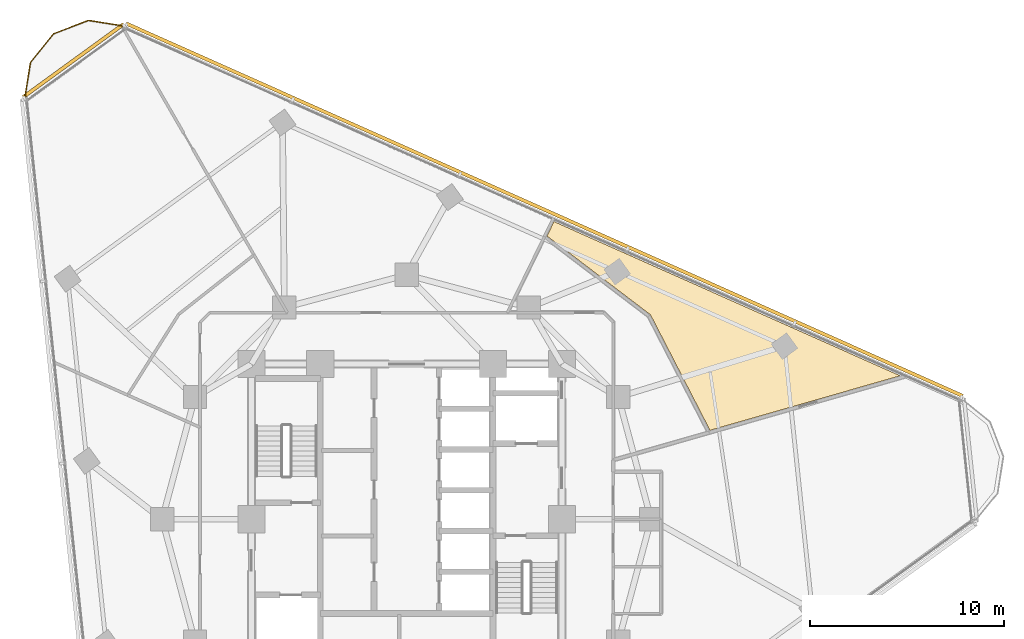
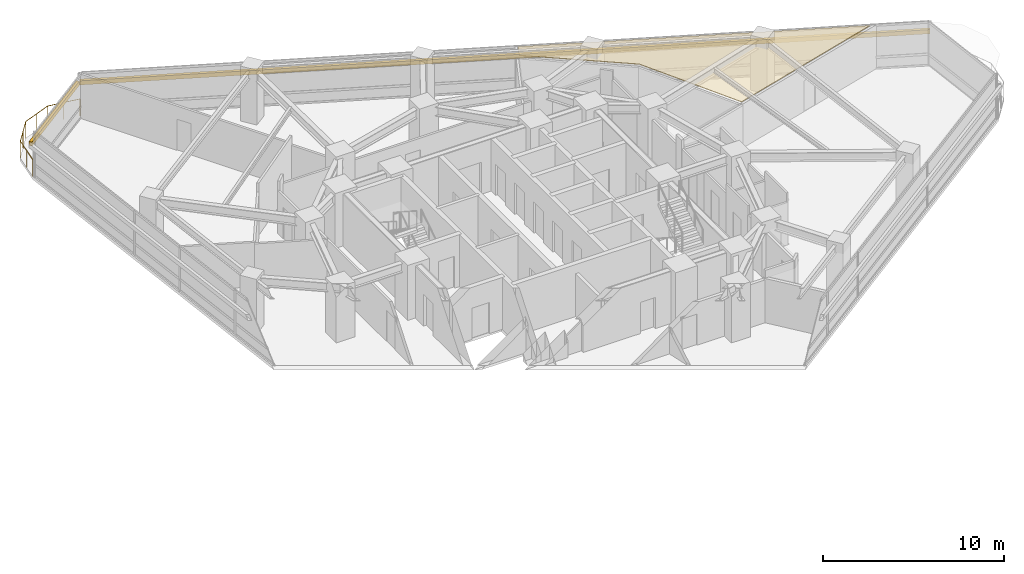
# One storey, part 14 of 14: 2 shading devices, 1 covering, 1 railing.
"""IFC4 building model written with IfcOpenShell, lengths in metres."""

import ifcopenshell
import ifcopenshell.guid

model = None  # the IFC model being written
_history = None  # IfcOwnerHistory: only IFC2X3 demands one
_inside = {}  # id of a spatial element -> (the spatial element, [elements in it])
_under = {}  # id of a project, library or spatial element -> (it, [spatial elements below it])
_declared = {}  # id of a project -> (the project, [libraries it declares])
_typed = {}  # id of a type object -> (the type object, [elements of that type])
_made_of = {}  # id of a material, layer set ... -> (it, [elements and type objects made of it])


def new_model(schema):
    """Start an empty IFC model of exactly this schema.

    Asked for "IFC4X3", IfcOpenShell would pick the latest addendum, in which some entities
    have other attributes; the version numbers below select the first issue.
    IFC2X3 requires an IfcOwnerHistory on every rooted entity: one is made here for all.
    """
    global model, _history
    if schema == "IFC4X3":
        model = ifcopenshell.file(schema_version=(4, 3, 0, 0))
    else:
        model = ifcopenshell.file(schema=schema)
    _inside.clear()
    _under.clear()
    _declared.clear()
    _typed.clear()
    _made_of.clear()
    _history = None
    if model.schema == "IFC2X3":
        org = make("IfcOrganization", Name="unknown")
        user = make(
            "IfcPersonAndOrganization",
            ThePerson=make("IfcPerson", FamilyName="unknown"),
            TheOrganization=org,
        )
        app = make(
            "IfcApplication",
            ApplicationDeveloper=org,
            Version="unknown",
            ApplicationFullName="unknown",
            ApplicationIdentifier="unknown",
        )
        _history = make(
            "IfcOwnerHistory",
            OwningUser=user,
            OwningApplication=app,
            ChangeAction="ADDED",
            CreationDate=0,
        )
    return model


def make(cls, **values):
    """One entity of the class cls with the attributes given. An attribute that is None is left unset."""
    return model.create_entity(
        cls, **{name: value for name, value in values.items() if value is not None}
    )


def rooted(cls, **values):
    """An entity with a GlobalId (a new one), such as an element, a storey or a relation."""
    return make(cls, GlobalId=ifcopenshell.guid.new(), OwnerHistory=_history, **values)


def si_unit(unit_type, name, prefix=None):
    """IfcSIUnit, for example si_unit("LENGTHUNIT", "METRE", prefix="MILLI")."""
    return make("IfcSIUnit", UnitType=unit_type, Prefix=prefix, Name=name)


def assignment(units):
    """IfcUnitAssignment: the units of a project."""
    return None if units is None else make("IfcUnitAssignment", Units=units)


def point(xyz):
    """IfcCartesianPoint."""
    return None if xyz is None else make("IfcCartesianPoint", Coordinates=xyz)


def direction(xyz):
    """IfcDirection."""
    return None if xyz is None else make("IfcDirection", DirectionRatios=xyz)


def frame(location, z_axis=None, x_axis=None):
    """IfcAxis2Placement3D, a coordinate frame: its origin and axes. An axis left out is left unset."""
    return make(
        "IfcAxis2Placement3D",
        Location=point(location),
        Axis=direction(z_axis),
        RefDirection=direction(x_axis),
    )


def frame_2d(location, x_axis=None):
    """IfcAxis2Placement2D, a coordinate frame in the plane: its origin and x axis."""
    return make(
        "IfcAxis2Placement2D", Location=point(location), RefDirection=direction(x_axis)
    )


def origin():
    """The frame at (0, 0, 0) with its axes left unset."""
    return frame((0.0, 0.0, 0.0))


def origin_2d():
    """The frame at (0, 0) in the plane with its x axis left unset."""
    return frame_2d((0.0, 0.0))


def place(relative_to, where):
    """IfcLocalPlacement: puts the frame where relative to a parent placement (None: the world)."""
    return make(
        "IfcLocalPlacement", PlacementRelTo=relative_to, RelativePlacement=where
    )


def context(
    kind, dimensions, precision=None, world=None, true_north=None, identifier=None
):
    """IfcGeometricRepresentationContext, for example the 3D "Model" context."""
    return make(
        "IfcGeometricRepresentationContext",
        ContextIdentifier=identifier,
        ContextType=kind,
        CoordinateSpaceDimension=dimensions,
        Precision=precision,
        WorldCoordinateSystem=world,
        TrueNorth=true_north,
    )


def subcontext(parent, identifier, kind, view, scale=None):
    """IfcGeometricRepresentationSubContext, for example "Body" below "Model"."""
    return make(
        "IfcGeometricRepresentationSubContext",
        ContextIdentifier=identifier,
        ContextType=kind,
        ParentContext=parent,
        TargetScale=scale,
        TargetView=view,
    )


def project(units=None, contexts=None):
    """IfcProject with its units and contexts."""
    return rooted(
        "IfcProject",
        Name="project",
        RepresentationContexts=contexts,
        UnitsInContext=assignment(units),
    )


def spatial(cls, under=None, at=None, **own):
    """A site, building, storey or space (cls), placed at a placement, below another one or the project."""
    s = rooted(cls, ObjectPlacement=at, **own)
    if under is not None:
        _under.setdefault(under.id(), (under, []))[1].append(s)
    return s


def polyline(points):
    """IfcPolyline through the points."""
    return make("IfcPolyline", Points=[point(p) for p in points])


def profile(cls, at=None, kind="AREA", **sizes):
    """A parametric profile (cls). Its sizes go by their IFC names, for example OverallWidth=200.0."""
    return make(cls, ProfileType=kind, Position=at, **sizes)


def rectangle(**sizes):
    """IfcRectangleProfileDef."""
    return profile("IfcRectangleProfileDef", **sizes)


def circle(**sizes):
    """IfcCircleProfileDef."""
    return profile("IfcCircleProfileDef", **sizes)


def outline(outer, holes=None, kind="AREA"):
    """IfcArbitraryClosedProfileDef: a profile drawn as a closed curve; with holes, ...WithVoids."""
    if holes is None:
        return make("IfcArbitraryClosedProfileDef", ProfileType=kind, OuterCurve=outer)
    return make(
        "IfcArbitraryProfileDefWithVoids",
        ProfileType=kind,
        OuterCurve=outer,
        InnerCurves=holes,
    )


def extrude(swept, where, along, depth):
    """IfcExtrudedAreaSolid: the profile swept, set in the frame where, extruded along a direction by depth."""
    return make(
        "IfcExtrudedAreaSolid",
        SweptArea=swept,
        Position=where,
        ExtrudedDirection=direction(along),
        Depth=depth,
    )


def shape(context_of_items, identifier, shape_type, items):
    """IfcShapeRepresentation: the items that make up one representation, for example the "Body"."""
    return make(
        "IfcShapeRepresentation",
        ContextOfItems=context_of_items,
        RepresentationIdentifier=identifier,
        RepresentationType=shape_type,
        Items=items,
    )


def material(Name=None, Category=None):
    """IfcMaterial."""
    return make("IfcMaterial", Name=Name, Category=Category)


def layer(
    of_material, thickness, ventilated=None, Name=None, Category=None, Priority=None
):
    """IfcMaterialLayer: one layer of a wall or slab, of a material (None: an air gap)."""
    return make(
        "IfcMaterialLayer",
        Material=of_material,
        LayerThickness=thickness,
        IsVentilated=ventilated,
        Name=Name,
        Category=Category,
        Priority=Priority,
    )


def layer_set(layers, Name=None):
    """IfcMaterialLayerSet."""
    return make("IfcMaterialLayerSet", MaterialLayers=layers, LayerSetName=Name)


def made_of(thing, what):
    """Note that an element or type object is made of a material, layer set ...; save() writes the relation."""
    if what is not None:
        _made_of.setdefault(what.id(), (what, []))[1].append(thing)
    return thing


def type_object(cls, material=None, **own):
    """A type object (cls), such as IfcWallType, which elements share."""
    return made_of(rooted(cls, **own), material)


def element(
    cls,
    number,
    at=None,
    inside=None,
    cuts=None,
    type_object=None,
    material=None,
    context=None,
    identifier="Body",
    shape_type=None,
    held_by="IfcProductDefinitionShape",
    body=None,
    shapes=None,
    **own,
):
    """One element of the class cls, such as IfcWall. Its Tag is "e" and its number.

    at: its placement. inside: the storey or other place that contains it. cuts: it is an
    opening in that element (IfcRelVoidsElement). A single representation is given by context,
    identifier, shape_type and body (its items); several are given by shapes. held_by: the class
    of the entity that holds the representations. save() writes the other relations.
    """
    e = rooted(cls, Tag="e%d" % number, ObjectPlacement=at, **own)
    if body is not None:
        shapes = [shape(context, identifier, shape_type, body)]
    if shapes is not None:
        e.Representation = make(held_by, Representations=shapes)
    if inside is not None:
        _inside.setdefault(inside.id(), (inside, []))[1].append(e)
    if cuts is not None:
        rooted(
            "IfcRelVoidsElement", RelatingBuildingElement=cuts, RelatedOpeningElement=e
        )
    if type_object is not None:
        _typed.setdefault(type_object.id(), (type_object, []))[1].append(e)
    return made_of(e, material)


def aggregate(whole, parts):
    """IfcRelAggregates: a whole, such as a stair, and the parts it consists of."""
    return rooted("IfcRelAggregates", RelatingObject=whole, RelatedObjects=parts)


def save(model, path):
    """Write the relations noted so far, then the file.

    IfcRelAggregates (storeys below a building ...), IfcRelContainedInSpatialStructure (elements
    in a storey), IfcRelDefinesByType, IfcRelAssociatesMaterial and IfcRelDeclares: one each for
    every whole, place, type object, material and project.
    """
    for whole, parts in _under.values():
        aggregate(whole, parts)
    for where, things in _inside.values():
        rooted(
            "IfcRelContainedInSpatialStructure",
            RelatedElements=things,
            RelatingStructure=where,
        )
    for kind, things in _typed.values():
        rooted("IfcRelDefinesByType", RelatedObjects=things, RelatingType=kind)
    for what, things in _made_of.values():
        rooted("IfcRelAssociatesMaterial", RelatedObjects=things, RelatingMaterial=what)
    for by, libraries in _declared.values():
        rooted("IfcRelDeclares", RelatingContext=by, RelatedDefinitions=libraries)
    model.write(path)


model = new_model("IFC4")

# Units and contexts
model_context = context("Model", 3, precision=1e-05, world=origin(), true_north=direction((0.0, 1.0)))
body_context = subcontext(model_context, "Body", "Model", "MODEL_VIEW")
ifc_project = project(units=[si_unit("LENGTHUNIT", "METRE"), si_unit("AREAUNIT", "SQUARE_METRE"), si_unit("VOLUMEUNIT", "CUBIC_METRE"), si_unit("PLANEANGLEUNIT", "RADIAN"), si_unit("MASSUNIT", "GRAM", prefix="KILO")], contexts=[model_context])

# Site, building, storey
site_placement = place(None, origin())
site = spatial("IfcSite", under=ifc_project, at=site_placement, CompositionType="ELEMENT")
building_placement = place(site_placement, origin())
building = spatial("IfcBuilding", under=site, at=building_placement, Name="Terralouvre Media Tower", CompositionType="ELEMENT")
storey_placement = place(building_placement, frame((0.0, 0.0, 162.0)))
storey = spatial("IfcBuildingStorey", under=building, at=storey_placement, Name="L41", CompositionType="ELEMENT", Elevation=162.0)

# Covering
ifc_material_1 = material(Name="Perforated aluminium acoustic ceiling baffle", Category="aluminium")
ifc_layer_1 = layer(ifc_material_1, 0.0400390625, Name="Perforated Acoustic Metal Tile Ceiling CL-AC1")
ifc_layer_set_1 = layer_set([ifc_layer_1], Name="Perforated aluminium acoustic ceiling baffle")
covering_type = type_object("IfcCoveringType", Name="Perforated Acoustic Metal Tile Ceiling CL-AC1", PredefinedType="CEILING", material=ifc_layer_set_1)
covering_placement = place(storey_placement, frame((0.0, 0.0, 2.97998046875), z_axis=(0.0, 0.0, 1.0), x_axis=(0.809016994375, 0.587785252292, 0.0)))
element("IfcCovering", 1, at=covering_placement, inside=storey, type_object=covering_type, Name="L41 Creative Set Workshop 6 Acoustic Ceiling", PredefinedType="CEILING", context=body_context, shape_type="SweptSolid", body=[
    extrude(outline(polyline([(16.356201171875, 1.165283203125), (16.3583984375, 1.156494140625), (16.35986328125, 1.147705078125), (16.3603515625, 1.138916015625), (16.3603515625, 1.130126953125), (16.359375, 1.12109375), (15.343505859375, -5.478271484375), (24.9287109375, -8.966796875), (15.162841796875, 7.948974609375), (14.431640625, 7.56005859375), (16.356201171875, 1.165283203125)])), origin(), (0.0, 0.0, 1.0), 0.0400390625),
])

# Railing
ifc_material_2 = material(Name="Stainless steel 316 handrail and balustrade", Category="steel")
ifc_layer_2 = layer(ifc_material_2, 0.06005859375, Name="Roof Edge Safety Guardrail GR-ROOF1")
ifc_layer_set_2 = layer_set([ifc_layer_2], Name="Stainless steel 316 handrail and balustrade")
railing_type = type_object("IfcRailingType", Name="Roof Edge Safety Guardrail GR-ROOF1", PredefinedType="GUARDRAIL", material=ifc_layer_set_2)
railing_placement = place(storey_placement, frame((-14.50537109375, 25.41357421875, 0.0)))
element("IfcRailing", 2, at=railing_placement, inside=storey, type_object=railing_type, Name="L41 Wind-Corner Perimeter Safety Guardrail C2", PredefinedType="GUARDRAIL", context=body_context, shape_type="SweptSolid", body=[
    extrude(circle(Radius=0.02099609375, at=origin_2d()), frame((0.0, 0.0, 1.12890625), z_axis=(-0.987645867018, 0.156702397439, 0.0), x_axis=(-0.156702397439, -0.987645867018, 0.0)), (0.0, 0.0, 1.0), 1.914794921875),
    extrude(circle(Radius=0.02099609375, at=origin_2d()), frame((-1.89111328125, 0.300048828125, 1.12890625), z_axis=(-0.933575508152, -0.358380762009, 0.0), x_axis=(0.358380762009, -0.933575508152, 0.0)), (0.0, 0.0, 1.0), 1.914306640625),
    extrude(circle(Radius=0.02099609375, at=origin_2d()), frame((-3.67822265625, -0.385986328125, 1.12890625), z_axis=(-0.629256927844, -0.777197348658, 0.0), x_axis=(0.777197348658, -0.629256927844, 0.0)), (0.0, 0.0, 1.0), 1.914306640625),
    extrude(circle(Radius=0.02099609375, at=origin_2d()), frame((-4.8828125, -1.873779296875, 1.12890625), z_axis=(-0.156204845685, -0.987724681369, 0.0), x_axis=(0.987724681369, -0.156204845685, 0.0)), (0.0, 0.0, 1.0), 1.91455078125),
    extrude(circle(Radius=0.01904296875, at=origin_2d()), origin(), (0.0, 0.0, 1.0), 1.10791015625),
    extrude(circle(Radius=0.01904296875, at=origin_2d()), frame((-0.945556640625, 0.14990234375, 0.0)), (0.0, 0.0, 1.0), 1.10791015625),
    extrude(circle(Radius=0.01904296875, at=origin_2d()), frame((-1.89111328125, 0.300048828125, 0.0)), (0.0, 0.0, 1.0), 1.10791015625),
    extrude(circle(Radius=0.01904296875, at=origin_2d()), frame((-2.78466796875, -0.04296875, 0.0)), (0.0, 0.0, 1.0), 1.10791015625),
    extrude(circle(Radius=0.01904296875, at=origin_2d()), frame((-3.67822265625, -0.385986328125, 0.0)), (0.0, 0.0, 1.0), 1.10791015625),
    extrude(circle(Radius=0.01904296875, at=origin_2d()), frame((-4.280517578125, -1.1298828125, 0.0)), (0.0, 0.0, 1.0), 1.10791015625),
    extrude(circle(Radius=0.01904296875, at=origin_2d()), frame((-4.8828125, -1.873779296875, 0.0)), (0.0, 0.0, 1.0), 1.10791015625),
    extrude(circle(Radius=0.01904296875, at=origin_2d()), frame((-5.0322265625, -2.8193359375, 0.0)), (0.0, 0.0, 1.0), 1.10791015625),
    extrude(circle(Radius=0.01904296875, at=origin_2d()), frame((-5.181884765625, -3.764892578125, 0.0)), (0.0, 0.0, 1.0), 1.10791015625),
])

# Shading devices
ifc_material_3 = material(Name="Extruded terracotta baguette sunshade louvres", Category="masonry")
shading_device_type = type_object("IfcShadingDeviceType", Name="Terracotta Baguette Sunshade Louvre Screen TB-LV1", PredefinedType="USERDEFINED", material=ifc_material_3)
shading_device_1_placement = place(storey_placement, frame((7.103759765625, 15.95556640625, 2.02392578125), z_axis=(0.0, 0.0, 1.0), x_axis=(-0.913545469547, 0.406736616337, 0.0)))
element("IfcShadingDevice", 3, at=shading_device_1_placement, inside=storey, type_object=shading_device_type, Name="CW-L41-F1 Terracotta Baguette Sunshade Louvre", ObjectType="BAGUETTE", PredefinedType="USERDEFINED", context=body_context, shape_type="SweptSolid", body=[
    extrude(rectangle(XDim=47.199951171875, YDim=0.179931640625, at=origin_2d()), origin(), (0.0, 0.0, 1.0), 0.280029296875),
])
shading_device_2_placement = place(storey_placement, frame((-17.175537109375, 23.64013671875, 2.02392578125), z_axis=(0.0, 0.0, 1.0), x_axis=(-0.809017438344, -0.587784641221, 0.0)))
element("IfcShadingDevice", 4, at=shading_device_2_placement, inside=storey, type_object=shading_device_type, Name="CW-L41-C2 Terracotta Baguette Sunshade Louvre", ObjectType="BAGUETTE", PredefinedType="USERDEFINED", context=body_context, shape_type="SweptSolid", body=[
    extrude(rectangle(XDim=6.40869140625, YDim=0.179931640625, at=origin_2d()), origin(), (0.0, 0.0, 1.0), 0.280029296875),
])

save(model, "model.ifc")
